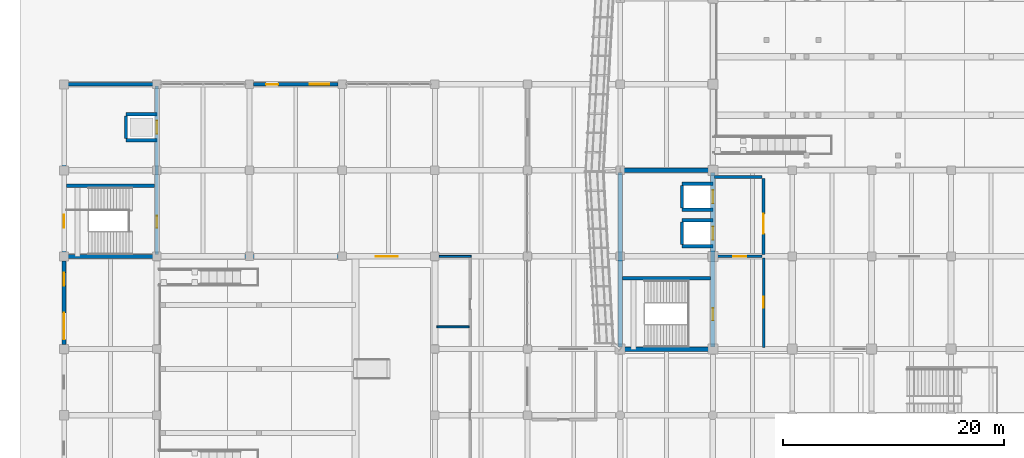
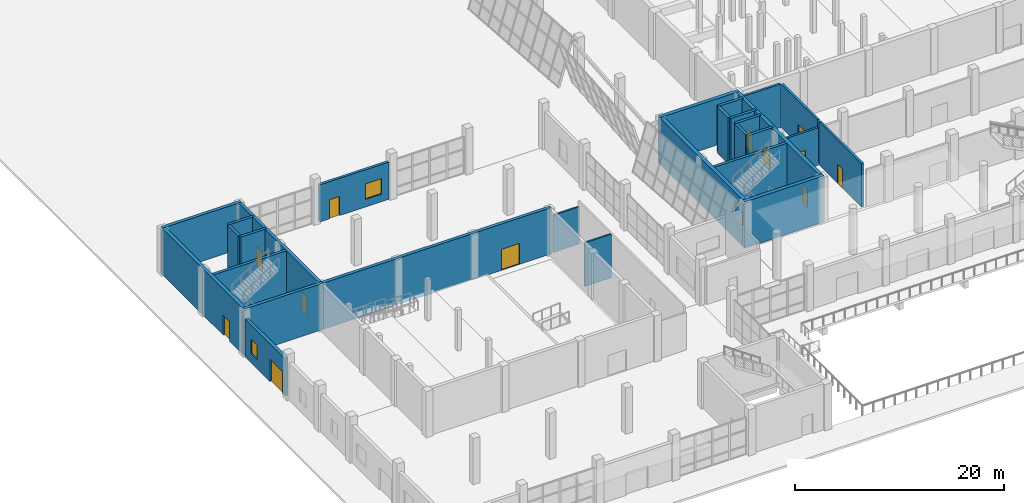
# One storey, part 61 of 78: 28 walls, 12 doors, 2 windows, 14 openings.
"""IFC4 building model written with IfcOpenShell, lengths in metres."""

from ifc_helpers import new_model, si_unit, direction, frame, frame_2d, origin, place, context, subcontext, project, spatial, rectangle, extrude, material, layer, layer_set, type_object, element, fill, save


model = new_model("IFC4")

# Units and contexts
model_context = context("Model", 3, precision=1e-05, world=origin(), true_north=direction((0.0, 1.0)))
body_context = subcontext(model_context, "Body", "Model", "MODEL_VIEW")
ifc_project = project(units=[si_unit("LENGTHUNIT", "METRE"), si_unit("AREAUNIT", "SQUARE_METRE"), si_unit("VOLUMEUNIT", "CUBIC_METRE"), si_unit("PLANEANGLEUNIT", "RADIAN"), si_unit("MASSUNIT", "GRAM", prefix="KILO")], contexts=[model_context])

# Site, building, storey
site_placement = place(None, origin())
site = spatial("IfcSite", under=ifc_project, at=site_placement, CompositionType="ELEMENT")
building_placement = place(site_placement, origin())
building = spatial("IfcBuilding", under=site, at=building_placement, Name="Pellamere Symphony Hall", CompositionType="ELEMENT")
storey_placement = place(building_placement, origin())
storey = spatial("IfcBuildingStorey", under=building, at=storey_placement, Name="L00", CompositionType="ELEMENT", Elevation=0.0)

# Wall, openings, door, window
ifc_material_1 = material(Name="Precast concrete 40 MPa", Category="concrete")
ifc_layer_1 = layer(ifc_material_1, 0.360107421875, Name="Precast concrete 40 MPa")
ifc_layer_set_1 = layer_set([ifc_layer_1], Name="Precast concrete 40 MPa")
wall_type_1 = type_object("IfcWallType", Name="Exterior Wall EW-01 360mm", PredefinedType="SOLIDWALL", material=ifc_layer_set_1)
wall_1_placement = place(storey_placement, frame((0.0, 30.409912109375, 0.0), z_axis=(0.0, 0.0, 1.0), x_axis=(0.0, 1.0, 0.0)))
wall_1 = element("IfcWall", 1, at=wall_1_placement, inside=storey, type_object=wall_type_1, Name="Exterior Wall EW-01-007 (L00)", PredefinedType="SOLIDWALL", context=body_context, shape_type="SweptSolid", body=[
    extrude(rectangle(XDim=7.580078125, YDim=0.360107421875, at=frame_2d((3.7900390625, 0.0))), origin(), (0.0, 0.0, 1.0), 4.39990234375),
])
opening_1_placement = place(wall_1_placement, frame((5.3125, 0.0, 1.050048828125)))
opening_1 = element("IfcOpeningElement", 2, at=opening_1_placement, cuts=wall_1, Name="Opening W005", PredefinedType="OPENING", context=body_context, shape_type="SweptSolid", body=[
    extrude(rectangle(XDim=1.199951171875, YDim=1.64990234375, at=frame_2d((0.60009765625, 0.824951171875))), frame((0.0, 0.18994140625, 0.0), z_axis=(0.0, -1.0, 0.0), x_axis=(1.0, 0.0, 0.0)), (0.0, 0.0, 1.0), 0.380126953125),
])
opening_2_placement = place(wall_1_placement, frame((0.467529296875, 0.0, 0.0)))
opening_2 = element("IfcOpeningElement", 3, at=opening_2_placement, cuts=wall_1, Name="Opening E0730", PredefinedType="OPENING", context=body_context, shape_type="SweptSolid", body=[
    extrude(rectangle(XDim=2.39990234375, YDim=2.60009765625, at=frame_2d((1.199951171875, 1.300048828125))), frame((0.0, 0.18994140625, 0.0), z_axis=(0.0, -1.0, 0.0), x_axis=(1.0, 0.0, 0.0)), (0.0, 0.0, 1.0), 0.380126953125),
])
ifc_material_2 = material(Name="Thermally Broken Bronze-Anodised Aluminium Acoustic Door", Category="aluminium")
door_type_1 = type_object("IfcDoorType", Name="Exterior Door ED-01 2400x2600", OperationType="NOTDEFINED", PredefinedType="DOOR", material=ifc_material_2)
door_1_placement = place(opening_2_placement, origin())
door_1 = element("IfcDoor", 4, at=door_1_placement, inside=storey, type_object=door_type_1, Name="Chamber West Promenade Exit", OperationType="DOUBLE_DOOR_SINGLE_SWING", OverallHeight=2.60009765625, OverallWidth=2.39990234375, PredefinedType="DOOR", context=body_context, shape_type="SweptSolid", body=[
    extrude(rectangle(XDim=2.39990234375, YDim=2.60009765625, at=frame_2d((1.199951171875, 1.300048828125))), frame((0.0, 0.02490234375, 0.0), z_axis=(0.0, -1.0, 0.0), x_axis=(1.0, 0.0, 0.0)), (0.0, 0.0, 1.0), 0.050048828125),
])
fill(opening_2, door_1)
ifc_material_3 = material(Name="Thermally Broken Aluminium Triple-Glazed Acoustic Window", Category="aluminium")
window_type_1 = type_object("IfcWindowType", Name="Window WN-07 1200x1650", PartitioningType="SINGLE_PANEL", PredefinedType="WINDOW", material=ifc_material_3)
window_1_placement = place(opening_1_placement, origin())
window_1 = element("IfcWindow", 5, at=window_1_placement, inside=storey, type_object=window_type_1, Name="Exterior Window W005 (L00)", OverallHeight=1.64990234375, OverallWidth=1.199951171875, PartitioningType="SINGLE_PANEL", PredefinedType="WINDOW", context=body_context, shape_type="SweptSolid", body=[
    extrude(rectangle(XDim=1.199951171875, YDim=1.64990234375, at=frame_2d((0.60009765625, 0.824951171875))), frame((0.0, 0.030029296875, 0.0), z_axis=(0.0, -1.0, 0.0), x_axis=(1.0, 0.0, 0.0)), (0.0, 0.0, 1.0), 0.06005859375),
])
fill(opening_1, window_1)

ifc_material_4 = material(Name="Architectural Limestone-Clad Insulated Backing Assembly", Category="masonry")
ifc_layer_2 = layer(ifc_material_4, 0.280029296875, Name="Architectural Limestone-Clad Insulated Backing Assembly")
ifc_layer_set_2 = layer_set([ifc_layer_2], Name="Architectural Limestone-Clad Insulated Backing Assembly")
wall_type_2 = type_object("IfcWallType", Name="Exterior Wall EW-03 280mm", PredefinedType="SOLIDWALL", material=ifc_layer_set_2)
wall_2_placement = place(storey_placement, frame((17.175048828125, 54.0, 0.0), z_axis=(0.0, 0.0, 1.0), x_axis=(1.0, 0.0, 0.0)))
wall_2 = element("IfcWall", 6, at=wall_2_placement, inside=storey, type_object=wall_type_2, Name="Exterior Wall EW-03-008 (L00)", PredefinedType="SOLIDWALL", context=body_context, shape_type="SweptSolid", body=[
    extrude(rectangle(XDim=7.64990234375, YDim=0.280029296875, at=frame_2d((3.824951171875, 0.0))), origin(), (0.0, 0.0, 1.0), 4.340087890625),
])
opening_3_placement = place(wall_2_placement, frame((5.06689453125, 0.0, 0.89990234375)))
opening_3 = element("IfcOpeningElement", 7, at=opening_3_placement, cuts=wall_2, Name="Opening W006", PredefinedType="OPENING", context=body_context, shape_type="SweptSolid", body=[
    extrude(rectangle(XDim=1.800048828125, YDim=1.800048828125, at=frame_2d((0.89990234375, 0.89990234375))), frame((0.0, 0.14990234375, 0.0), z_axis=(0.0, -1.0, 0.0), x_axis=(1.0, 0.0, 0.0)), (0.0, 0.0, 1.0), 0.300048828125),
])
opening_4_placement = place(wall_2_placement, frame((1.133056640625, 0.0, 0.0)))
opening_4 = element("IfcOpeningElement", 8, at=opening_4_placement, cuts=wall_2, Name="Opening E08", PredefinedType="OPENING", context=body_context, shape_type="SweptSolid", body=[
    extrude(rectangle(XDim=1.10009765625, YDim=2.25, at=frame_2d((0.550048828125, 1.125))), frame((0.0, 0.14990234375, 0.0), z_axis=(0.0, -1.0, 0.0), x_axis=(1.0, 0.0, 0.0)), (0.0, 0.0, 1.0), 0.300048828125),
])
door_type_2 = type_object("IfcDoorType", Name="Exterior Door ED-03 1100x2250", OperationType="NOTDEFINED", PredefinedType="DOOR", material=ifc_material_2)
door_2_placement = place(opening_4_placement, origin())
door_2 = element("IfcDoor", 9, at=door_2_placement, inside=storey, type_object=door_type_2, Name="Chamber North Garden Exit", OperationType="SINGLE_SWING_LEFT", OverallHeight=2.25, OverallWidth=1.10009765625, PredefinedType="DOOR", context=body_context, shape_type="SweptSolid", body=[
    extrude(rectangle(XDim=1.10009765625, YDim=2.25, at=frame_2d((0.550048828125, 1.125))), frame((0.0, 0.02490234375, 0.0), z_axis=(0.0, -1.0, 0.0), x_axis=(1.0, 0.0, 0.0)), (0.0, 0.0, 1.0), 0.050048828125),
])
fill(opening_4, door_2)
window_type_2 = type_object("IfcWindowType", Name="Window WN-03 1800x1800", PartitioningType="DOUBLE_PANEL_VERTICAL", PredefinedType="WINDOW", material=ifc_material_3)
window_2_placement = place(opening_3_placement, origin())
window_2 = element("IfcWindow", 10, at=window_2_placement, inside=storey, type_object=window_type_2, Name="Exterior Window W006 (L00)", OverallHeight=1.800048828125, OverallWidth=1.800048828125, PartitioningType="SINGLE_PANEL", PredefinedType="WINDOW", context=body_context, shape_type="SweptSolid", body=[
    extrude(rectangle(XDim=1.800048828125, YDim=1.800048828125, at=frame_2d((0.89990234375, 0.89990234375))), frame((0.0, 0.030029296875, 0.0), z_axis=(0.0, -1.0, 0.0), x_axis=(1.0, 0.0, 0.0)), (0.0, 0.0, 1.0), 0.06005859375),
])
fill(opening_3, window_2)

# Wall, opening, door
ifc_material_5 = material(Name="Double-Stud STC-65 Acoustic Drywall Partition", Category="gypsum")
ifc_layer_3 = layer(ifc_material_5, 0.239990234375, Name="Double-Stud STC-65 Acoustic Drywall Partition")
ifc_layer_set_3 = layer_set([ifc_layer_3], Name="Double-Stud STC-65 Acoustic Drywall Partition")
wall_type_3 = type_object("IfcWallType", Name="Interior Partition IW-01 240mm", PredefinedType="PARTITIONING", material=ifc_layer_set_3)
wall_3_placement = place(storey_placement, frame((58.9599609375, 38.39990234375, 0.0), z_axis=(0.0, 0.0, 1.0), x_axis=(1.0, 0.0, 0.0)))
wall_3 = element("IfcWall", 11, at=wall_3_placement, inside=storey, type_object=wall_type_3, Name="Interior Partition IW-01-004 (L00)", PredefinedType="PARTITIONING", context=body_context, shape_type="SweptSolid", body=[
    extrude(rectangle(XDim=4.280029296875, YDim=0.239990234375, at=frame_2d((2.14013671875, 0.0))), origin(), (0.0, 0.0, 1.0), 4.340087890625),
])
opening_5_placement = place(wall_3_placement, frame((1.699951171875, 0.0, 0.0)))
opening_5 = element("IfcOpeningElement", 12, at=opening_5_placement, cuts=wall_3, Name="Opening FD-03", PredefinedType="OPENING", context=body_context, shape_type="SweptSolid", body=[
    extrude(rectangle(XDim=1.14990234375, YDim=2.199951171875, at=frame_2d((0.574951171875, 1.10009765625))), frame((0.0, 0.1298828125, 0.0), z_axis=(0.0, -1.0, 0.0), x_axis=(1.0, 0.0, 0.0)), (0.0, 0.0, 1.0), 0.260009765625),
])
ifc_material_6 = material(Name="Fire-Rated Steel Exit Stair Door Wide", Category="steel")
door_type_3 = type_object("IfcDoorType", Name="Interior Door ID-SD2 1150x2200", OperationType="NOTDEFINED", PredefinedType="DOOR", material=ifc_material_6)
door_3_placement = place(opening_5_placement, frame((1.14990234375, 0.0, 0.0), z_axis=(0.0, 0.0, 1.0), x_axis=(-1.0, 0.0, 0.0)))
door_3 = element("IfcDoor", 13, at=door_3_placement, inside=storey, type_object=door_type_3, Name="Protected Exit Passage Door C1 (L00)", OperationType="SINGLE_SWING_LEFT", OverallHeight=2.199951171875, OverallWidth=1.14990234375, PredefinedType="DOOR", context=body_context, shape_type="SweptSolid", body=[
    extrude(rectangle(XDim=1.14990234375, YDim=2.199951171875, at=frame_2d((0.574951171875, 1.10009765625))), frame((0.0, 0.02490234375, 0.0), z_axis=(0.0, -1.0, 0.0), x_axis=(1.0, 0.0, 0.0)), (0.0, 0.0, 1.0), 0.050048828125),
])
fill(opening_5, door_3)

# Wall
wall_4_placement = place(storey_placement, frame((58.9599609375, 45.60009765625, 0.0), z_axis=(0.0, 0.0, 1.0), x_axis=(1.0, 0.0, 0.0)))
element("IfcWall", 14, at=wall_4_placement, inside=storey, type_object=wall_type_3, Name="Interior Partition IW-01-005 (L00)", PredefinedType="PARTITIONING", context=body_context, shape_type="SweptSolid", body=[
    extrude(rectangle(XDim=4.280029296875, YDim=0.239990234375, at=frame_2d((2.14013671875, 0.0))), origin(), (0.0, 0.0, 1.0), 5.090087890625),
])

# Wall, opening, door
wall_5_placement = place(storey_placement, frame((63.39990234375, 38.56005859375, 0.0), z_axis=(0.0, 0.0, 1.0), x_axis=(0.0, 1.0, 0.0)))
wall_5 = element("IfcWall", 15, at=wall_5_placement, inside=storey, type_object=wall_type_3, Name="Interior Partition IW-01-006 (L00)", PredefinedType="PARTITIONING", context=body_context, shape_type="SweptSolid", body=[
    extrude(rectangle(XDim=6.8798828125, YDim=0.239990234375, at=frame_2d((3.43994140625, 0.0))), origin(), (0.0, 0.0, 1.0), 5.090087890625),
])
opening_6_placement = place(wall_5_placement, frame((1.89990234375, 0.0, 0.0)))
opening_6 = element("IfcOpeningElement", 16, at=opening_6_placement, cuts=wall_5, Name="Opening FD-02", PredefinedType="OPENING", context=body_context, shape_type="SweptSolid", body=[
    extrude(rectangle(XDim=1.800048828125, YDim=2.300048828125, at=frame_2d((0.89990234375, 1.14990234375))), frame((0.0, 0.1298828125, 0.0), z_axis=(0.0, -1.0, 0.0), x_axis=(1.0, 0.0, 0.0)), (0.0, 0.0, 1.0), 0.260009765625),
])
ifc_material_7 = material(Name="Fire-Rated Cross-Corridor Double Door", Category="wood")
door_type_4 = type_object("IfcDoorType", Name="Interior Door ID-FD1 1800x2300", OperationType="NOTDEFINED", PredefinedType="DOOR", material=ifc_material_7)
door_4_placement = place(opening_6_placement, frame((1.800048828125, 0.0, 0.0), z_axis=(0.0, 0.0, 1.0), x_axis=(-1.0, 0.0, 0.0)))
door_4 = element("IfcDoor", 17, at=door_4_placement, inside=storey, type_object=door_type_4, Name="Firefighting Lobby C1 Foyer Entry Door (L00)", OperationType="DOUBLE_DOOR_SINGLE_SWING", OverallHeight=2.300048828125, OverallWidth=1.800048828125, PredefinedType="DOOR", context=body_context, shape_type="SweptSolid", body=[
    extrude(rectangle(XDim=1.800048828125, YDim=2.300048828125, at=frame_2d((0.89990234375, 1.14990234375))), frame((0.0, 0.02490234375, 0.0), z_axis=(0.0, -1.0, 0.0), x_axis=(1.0, 0.0, 0.0)), (0.0, 0.0, 1.0), 0.050048828125),
])
fill(opening_6, door_4)

# Walls
ifc_material_8 = material(Name="Moisture-Resistant Ceramic-Tiled Washroom Wall", Category="gypsum")
ifc_layer_4 = layer(ifc_material_8, 0.179931640625, Name="Moisture-Resistant Ceramic-Tiled Washroom Wall")
ifc_layer_set_4 = layer_set([ifc_layer_4], Name="Moisture-Resistant Ceramic-Tiled Washroom Wall")
wall_type_4 = type_object("IfcWallType", Name="Interior Partition IW-06 180mm", PredefinedType="PARTITIONING", material=ifc_layer_set_4)
wall_6_placement = place(storey_placement, frame((33.7900390625, 32.0, 0.0), z_axis=(0.0, 0.0, 1.0), x_axis=(1.0, 0.0, 0.0)))
element("IfcWall", 18, at=wall_6_placement, inside=storey, type_object=wall_type_4, Name="Interior Partition IW-06-060 (L00)", PredefinedType="PARTITIONING", context=body_context, shape_type="SweptSolid", body=[
    extrude(rectangle(XDim=2.909912109375, YDim=0.179931640625, at=frame_2d((1.455078125, 0.0))), origin(), (0.0, 0.0, 1.0), 5.090087890625),
])
wall_7_placement = place(storey_placement, frame((33.989990234375, 38.39990234375, 0.0), z_axis=(0.0, 0.0, 1.0), x_axis=(1.0, 0.0, 0.0)))
element("IfcWall", 19, at=wall_7_placement, inside=storey, type_object=wall_type_4, Name="Interior Partition IW-06-061 (L00)", PredefinedType="PARTITIONING", context=body_context, shape_type="SweptSolid", body=[
    extrude(rectangle(XDim=2.89990234375, YDim=0.179931640625, at=frame_2d((1.449951171875, 0.0))), origin(), (0.0, 0.0, 1.0), 4.340087890625),
])

# Wall, opening, door
ifc_material_9 = material(Name="Protected Exit Passageway Shaftwall Partition", Category="gypsum")
ifc_layer_5 = layer(ifc_material_9, 0.219970703125, Name="Protected Exit Passageway Shaftwall Partition")
ifc_layer_set_5 = layer_set([ifc_layer_5], Name="Protected Exit Passageway Shaftwall Partition")
wall_type_5 = type_object("IfcWallType", Name="Interior Partition IW-07 220mm", PredefinedType="PARTITIONING", material=ifc_layer_set_5)
wall_8_placement = place(storey_placement, frame((63.39990234375, 30.159912109375, 0.0), z_axis=(0.0, 0.0, 1.0), x_axis=(0.0, 1.0, 0.0)))
wall_8 = element("IfcWall", 20, at=wall_8_placement, inside=storey, type_object=wall_type_5, Name="Interior Partition IW-07-007 (L00)", PredefinedType="PARTITIONING", context=body_context, shape_type="SweptSolid", body=[
    extrude(rectangle(XDim=8.080078125, YDim=0.219970703125, at=frame_2d((4.0400390625, 0.0))), origin(), (0.0, 0.0, 1.0), 5.090087890625),
])
opening_7_placement = place(wall_8_placement, frame((3.60009765625, 0.0, 0.0)))
opening_7 = element("IfcOpeningElement", 21, at=opening_7_placement, cuts=wall_8, Name="Opening FD-04", PredefinedType="OPENING", context=body_context, shape_type="SweptSolid", body=[
    extrude(rectangle(XDim=1.0, YDim=2.199951171875, at=frame_2d((0.5, 1.10009765625))), frame((0.0, 0.119873046875, 0.0), z_axis=(0.0, -1.0, 0.0), x_axis=(1.0, 0.0, 0.0)), (0.0, 0.0, 1.0), 0.239990234375),
])
ifc_material_10 = material(Name="Fire-Rated Plant and Riser Door", Category="steel")
door_type_5 = type_object("IfcDoorType", Name="Interior Door ID-FD2 1000x2200", OperationType="NOTDEFINED", PredefinedType="DOOR", material=ifc_material_10)
door_5_placement = place(opening_7_placement, origin())
door_5 = element("IfcDoor", 22, at=door_5_placement, inside=storey, type_object=door_type_5, Name="Exit Passage C1 Cross-Foyer Door", OperationType="SINGLE_SWING_RIGHT", OverallHeight=2.199951171875, OverallWidth=1.0, PredefinedType="DOOR", context=body_context, shape_type="SweptSolid", body=[
    extrude(rectangle(XDim=1.0, YDim=2.199951171875, at=frame_2d((0.5, 1.10009765625))), frame((0.0, 0.02490234375, 0.0), z_axis=(0.0, -1.0, 0.0), x_axis=(1.0, 0.0, 0.0)), (0.0, 0.0, 1.0), 0.050048828125),
])
fill(opening_7, door_5)

# Walls
ifc_material_11 = material(Name="Concrete 50 MPa", Category="concrete")
ifc_layer_6 = layer(ifc_material_11, 0.39990234375, Name="Concrete 50 MPa")
ifc_layer_set_6 = layer_set([ifc_layer_6], Name="Concrete 50 MPa")
wall_type_6 = type_object("IfcWallType", Name="Structural Wall SW-02 400mm", PredefinedType="SHEAR", material=ifc_layer_set_6)
for number, where, z_axis, x_axis, name in (
    (23, (50.199951171875, 30.0, 0.0), (0.0, 0.0, 1.0), (1.0, 0.0, 0.0), "Core Shear Wall C1 S (L00)"),
    (24, (50.199951171875, 46.199951171875, 0.0), (0.0, 0.0, 1.0), (1.0, 0.0, 0.0), "Core Shear Wall C1 N (L00)"),
):
    element("IfcWall", number, at=place(storey_placement, frame(where, z_axis=z_axis, x_axis=x_axis)), inside=storey, type_object=wall_type_6, Name=name, PredefinedType="SHEAR", context=body_context, shape_type="SweptSolid", body=[
        extrude(rectangle(XDim=8.800048828125, YDim=0.39990234375, at=frame_2d((4.39990234375, 0.0))), origin(), (0.0, 0.0, 1.0), 5.39990234375),
    ])
wall_9_placement = place(storey_placement, frame((50.39990234375, 30.199951171875, 0.0), z_axis=(0.0, 0.0, 1.0), x_axis=(0.0, 1.0, 0.0)))
element("IfcWall", 25, at=wall_9_placement, inside=storey, type_object=wall_type_6, Name="Core Shear Wall C1 W (L00)", PredefinedType="SHEAR", context=body_context, shape_type="SweptSolid", body=[
    extrude(rectangle(XDim=15.800048828125, YDim=0.39990234375, at=frame_2d((7.89990234375, 0.0))), origin(), (0.0, 0.0, 1.0), 5.39990234375),
])

# Wall, openings, doors
wall_10_placement = place(storey_placement, frame((58.800048828125, 30.199951171875, 0.0), z_axis=(0.0, 0.0, 1.0), x_axis=(0.0, 1.0, 0.0)))
wall_10 = element("IfcWall", 26, at=wall_10_placement, inside=storey, type_object=wall_type_6, Name="Core Shear Wall C1 E (L00)", PredefinedType="SHEAR", context=body_context, shape_type="SweptSolid", body=[
    extrude(rectangle(XDim=15.800048828125, YDim=0.39990234375, at=frame_2d((7.89990234375, 0.0))), origin(), (0.0, 0.0, 1.0), 5.39990234375),
])
opening_8_placement = place(wall_10_placement, frame((9.699951171875, 0.0, 0.0)))
opening_8 = element("IfcOpeningElement", 27, at=opening_8_placement, cuts=wall_10, Name="Opening LD-02", PredefinedType="OPENING", context=body_context, shape_type="SweptSolid", body=[
    extrude(rectangle(XDim=1.199951171875, YDim=2.199951171875, at=frame_2d((0.60009765625, 1.10009765625))), frame((0.0, 0.2099609375, 0.0), z_axis=(0.0, -1.0, 0.0), x_axis=(1.0, 0.0, 0.0)), (0.0, 0.0, 1.0), 0.419921875),
])
opening_9_placement = place(wall_10_placement, frame((13.0, 0.0, 0.0)))
opening_9 = element("IfcOpeningElement", 28, at=opening_9_placement, cuts=wall_10, Name="Opening LD-08", PredefinedType="OPENING", context=body_context, shape_type="SweptSolid", body=[
    extrude(rectangle(XDim=1.199951171875, YDim=2.199951171875, at=frame_2d((0.60009765625, 1.10009765625))), frame((0.0, 0.2099609375, 0.0), z_axis=(0.0, -1.0, 0.0), x_axis=(1.0, 0.0, 0.0)), (0.0, 0.0, 1.0), 0.419921875),
])
opening_10_placement = place(wall_10_placement, frame((2.39990234375, 0.0, 0.0)))
opening_10 = element("IfcOpeningElement", 29, at=opening_10_placement, cuts=wall_10, Name="Opening SD-02", PredefinedType="OPENING", context=body_context, shape_type="SweptSolid", body=[
    extrude(rectangle(XDim=1.10009765625, YDim=2.199951171875, at=frame_2d((0.550048828125, 1.10009765625))), frame((0.0, 0.2099609375, 0.0), z_axis=(0.0, -1.0, 0.0), x_axis=(1.0, 0.0, 0.0)), (0.0, 0.0, 1.0), 0.419921875),
])
ifc_material_12 = material(Name="Stainless Steel AISI 316 Elevator Landing Door", Category="steel")
door_type_6 = type_object("IfcDoorType", Name="Interior Door ID-LD1 1200x2200", OperationType="NOTDEFINED", PredefinedType="DOOR", material=ifc_material_12)
door_6_placement = place(opening_8_placement, origin())
door_6 = element("IfcDoor", 30, at=door_6_placement, inside=storey, type_object=door_type_6, Name="Elevator PL1 Sliding Landing Door (L00)", OperationType="SLIDING_TO_RIGHT", OverallHeight=2.199951171875, OverallWidth=1.199951171875, PredefinedType="DOOR", context=body_context, shape_type="SweptSolid", body=[
    extrude(rectangle(XDim=1.199951171875, YDim=2.199951171875, at=frame_2d((0.60009765625, 1.10009765625))), frame((0.0, 0.02490234375, 0.0), z_axis=(0.0, -1.0, 0.0), x_axis=(1.0, 0.0, 0.0)), (0.0, 0.0, 1.0), 0.050048828125),
])
fill(opening_8, door_6)
door_7_placement = place(opening_9_placement, origin())
door_7 = element("IfcDoor", 31, at=door_7_placement, inside=storey, type_object=door_type_6, Name="Elevator PL2 Sliding Landing Door (L00)", OperationType="SLIDING_TO_RIGHT", OverallHeight=2.199951171875, OverallWidth=1.199951171875, PredefinedType="DOOR", context=body_context, shape_type="SweptSolid", body=[
    extrude(rectangle(XDim=1.199951171875, YDim=2.199951171875, at=frame_2d((0.60009765625, 1.10009765625))), frame((0.0, 0.02490234375, 0.0), z_axis=(0.0, -1.0, 0.0), x_axis=(1.0, 0.0, 0.0)), (0.0, 0.0, 1.0), 0.050048828125),
])
fill(opening_9, door_7)
ifc_material_13 = material(Name="Fire-Rated Steel Exit Stair Door", Category="steel")
door_type_7 = type_object("IfcDoorType", Name="Interior Door ID-SD1 1100x2200", OperationType="NOTDEFINED", PredefinedType="DOOR", material=ifc_material_13)
door_8_placement = place(opening_10_placement, frame((1.10009765625, 0.0, 0.0), z_axis=(0.0, 0.0, 1.0), x_axis=(-1.0, 0.0, 0.0)))
door_8 = element("IfcDoor", 32, at=door_8_placement, inside=storey, type_object=door_type_7, Name="Core C1 Exit Stair Door (L00)", OperationType="SINGLE_SWING_RIGHT", OverallHeight=2.199951171875, OverallWidth=1.10009765625, PredefinedType="DOOR", context=body_context, shape_type="SweptSolid", body=[
    extrude(rectangle(XDim=1.10009765625, YDim=2.199951171875, at=frame_2d((0.550048828125, 1.10009765625))), frame((0.0, 0.02490234375, 0.0), z_axis=(0.0, -1.0, 0.0), x_axis=(1.0, 0.0, 0.0)), (0.0, 0.0, 1.0), 0.050048828125),
])
fill(opening_10, door_8)

# Wall, opening, door
ifc_material_14 = material(Name="Concrete 40 MPa", Category="concrete")
ifc_layer_7 = layer(ifc_material_14, 0.35009765625, Name="Concrete 40 MPa")
ifc_layer_set_7 = layer_set([ifc_layer_7], Name="Concrete 40 MPa")
wall_type_7 = type_object("IfcWallType", Name="Structural Wall SW-03 350mm", PredefinedType="SHEAR", material=ifc_layer_set_7)
wall_11_placement = place(storey_placement, frame((8.22509765625, 38.39990234375, 0.0), z_axis=(0.0, 0.0, 1.0), x_axis=(1.0, 0.0, 0.0)))
wall_11 = element("IfcWall", 33, at=wall_11_placement, inside=storey, type_object=wall_type_7, Name="Chamber Hall Acoustic Wall AW2-N (L00)", PredefinedType="SHEAR", context=body_context, shape_type="SweptSolid", body=[
    extrude(rectangle(XDim=25.5498046875, YDim=0.35009765625, at=frame_2d((12.77490234375, 0.0))), origin(), (0.0, 0.0, 1.0), 5.39990234375),
])
opening_11_placement = place(wall_11_placement, frame((20.0, 0.0, 0.0)))
opening_11 = element("IfcOpeningElement", 34, at=opening_11_placement, cuts=wall_11, Name="Opening AD-13", PredefinedType="OPENING", context=body_context, shape_type="SweptSolid", body=[
    extrude(rectangle(XDim=2.0, YDim=2.449951171875, at=frame_2d((1.0, 1.22509765625))), frame((0.0, 0.18505859375, 0.0), z_axis=(0.0, -1.0, 0.0), x_axis=(1.0, 0.0, 0.0)), (0.0, 0.0, 1.0), 0.3701171875),
])
ifc_material_15 = material(Name="STC-55 Solid White Oak Acoustic Hall Entry Door", Category="wood")
door_type_8 = type_object("IfcDoorType", Name="Interior Door ID-AD1 2000x2450", OperationType="NOTDEFINED", PredefinedType="DOOR", material=ifc_material_15)
door_9_placement = place(opening_11_placement, origin())
door_9 = element("IfcDoor", 35, at=door_9_placement, inside=storey, type_object=door_type_8, Name="Chamber Hall Stalls Entry Door N", OperationType="DOUBLE_DOOR_SINGLE_SWING", OverallHeight=2.449951171875, OverallWidth=2.0, PredefinedType="DOOR", context=body_context, shape_type="SweptSolid", body=[
    extrude(rectangle(XDim=2.0, YDim=2.449951171875, at=frame_2d((1.0, 1.22509765625))), frame((0.0, 0.02490234375, 0.0), z_axis=(0.0, -1.0, 0.0), x_axis=(1.0, 0.0, 0.0)), (0.0, 0.0, 1.0), 0.050048828125),
])
fill(opening_11, door_9)

# Walls
for number, where, z_axis, x_axis, name in (
    (36, (-0.175048828125, 38.39990234375, 0.0), (0.0, 0.0, 1.0), (1.0, 0.0, 0.0), "Core Shear Wall C3 S (L00)"),
    (37, (-0.175048828125, 54.0, 0.0), (0.0, 0.0, 1.0), (1.0, 0.0, 0.0), "Core Shear Wall C3 N (L00)"),
):
    element("IfcWall", number, at=place(storey_placement, frame(where, z_axis=z_axis, x_axis=x_axis)), inside=storey, type_object=wall_type_7, Name=name, PredefinedType="SHEAR", context=body_context, shape_type="SweptSolid", body=[
        extrude(rectangle(XDim=8.75, YDim=0.35009765625, at=frame_2d((4.375, 0.0))), origin(), (0.0, 0.0, 1.0), 5.39990234375),
    ])

# Wall, openings, doors
wall_12_placement = place(storey_placement, frame((8.39990234375, 38.574951171875, 0.0), z_axis=(0.0, 0.0, 1.0), x_axis=(0.0, 1.0, 0.0)))
wall_12 = element("IfcWall", 38, at=wall_12_placement, inside=storey, type_object=wall_type_7, Name="Core Shear Wall C3 E (L00)", PredefinedType="SHEAR", context=body_context, shape_type="SweptSolid", body=[
    extrude(rectangle(XDim=15.25, YDim=0.35009765625, at=frame_2d((7.625, 0.0))), origin(), (0.0, 0.0, 1.0), 5.39990234375),
])
opening_12_placement = place(wall_12_placement, frame((10.925048828125, 0.0, 0.0)))
opening_12 = element("IfcOpeningElement", 39, at=opening_12_placement, cuts=wall_12, Name="Opening LD-43", PredefinedType="OPENING", context=body_context, shape_type="SweptSolid", body=[
    extrude(rectangle(XDim=1.199951171875, YDim=2.199951171875, at=frame_2d((0.60009765625, 1.10009765625))), frame((0.0, 0.18505859375, 0.0), z_axis=(0.0, -1.0, 0.0), x_axis=(1.0, 0.0, 0.0)), (0.0, 0.0, 1.0), 0.3701171875),
])
opening_13_placement = place(wall_12_placement, frame((2.39990234375, 0.0, 0.0)))
opening_13 = element("IfcOpeningElement", 40, at=opening_13_placement, cuts=wall_12, Name="Opening SD-15", PredefinedType="OPENING", context=body_context, shape_type="SweptSolid", body=[
    extrude(rectangle(XDim=1.10009765625, YDim=2.199951171875, at=frame_2d((0.550048828125, 1.10009765625))), frame((0.0, 0.18505859375, 0.0), z_axis=(0.0, -1.0, 0.0), x_axis=(1.0, 0.0, 0.0)), (0.0, 0.0, 1.0), 0.3701171875),
])
door_10_placement = place(opening_12_placement, origin())
door_10 = element("IfcDoor", 41, at=door_10_placement, inside=storey, type_object=door_type_6, Name="Elevator PL5 Sliding Landing Door (L00)", OperationType="SLIDING_TO_LEFT", OverallHeight=2.199951171875, OverallWidth=1.199951171875, PredefinedType="DOOR", context=body_context, shape_type="SweptSolid", body=[
    extrude(rectangle(XDim=1.199951171875, YDim=2.199951171875, at=frame_2d((0.60009765625, 1.10009765625))), frame((0.0, 0.02490234375, 0.0), z_axis=(0.0, -1.0, 0.0), x_axis=(1.0, 0.0, 0.0)), (0.0, 0.0, 1.0), 0.050048828125),
])
fill(opening_12, door_10)
door_11_placement = place(opening_13_placement, frame((1.10009765625, 0.0, 0.0), z_axis=(0.0, 0.0, 1.0), x_axis=(-1.0, 0.0, 0.0)))
door_11 = element("IfcDoor", 42, at=door_11_placement, inside=storey, type_object=door_type_7, Name="Core C3 Exit Stair Door (L00)", OperationType="SINGLE_SWING_LEFT", OverallHeight=2.199951171875, OverallWidth=1.10009765625, PredefinedType="DOOR", context=body_context, shape_type="SweptSolid", body=[
    extrude(rectangle(XDim=1.10009765625, YDim=2.199951171875, at=frame_2d((0.550048828125, 1.10009765625))), frame((0.0, 0.02490234375, 0.0), z_axis=(0.0, -1.0, 0.0), x_axis=(1.0, 0.0, 0.0)), (0.0, 0.0, 1.0), 0.050048828125),
])
fill(opening_13, door_11)

# Walls
ifc_layer_8 = layer(ifc_material_14, 0.300048828125, Name="Concrete 40 MPa")
ifc_layer_set_8 = layer_set([ifc_layer_8], Name="Concrete 40 MPa")
wall_type_8 = type_object("IfcWallType", Name="Structural Wall SW-04 300mm", PredefinedType="SHEAR", material=ifc_layer_set_8)
for number, where, z_axis, x_axis, name in (
    (43, (56.0, 39.324951171875, 0.0), (0.0, 0.0, 1.0), (1.0, 0.0, 0.0), "Elevator PL1 Hoistway Wall S (L00)"),
    (44, (56.0, 41.675048828125, 0.0), (0.0, 0.0, 1.0), (1.0, 0.0, 0.0), "Elevator PL1 Hoistway Wall N (L00)"),
):
    element("IfcWall", number, at=place(storey_placement, frame(where, z_axis=z_axis, x_axis=x_axis)), inside=storey, type_object=wall_type_8, Name=name, PredefinedType="SHEAR", context=body_context, shape_type="SweptSolid", body=[
        extrude(rectangle(XDim=2.800048828125, YDim=0.300048828125, at=frame_2d((1.39990234375, 0.0))), origin(), (0.0, 0.0, 1.0), 5.39990234375),
    ])
wall_13_placement = place(storey_placement, frame((56.0, 39.47509765625, 0.0), z_axis=(0.0, 0.0, 1.0), x_axis=(0.0, 1.0, 0.0)))
element("IfcWall", 45, at=wall_13_placement, inside=storey, type_object=wall_type_8, Name="Elevator PL1 Hoistway Wall W (L00)", PredefinedType="SHEAR", context=body_context, shape_type="SweptSolid", body=[
    extrude(rectangle(XDim=2.0498046875, YDim=0.300048828125, at=frame_2d((1.02490234375, 0.0))), origin(), (0.0, 0.0, 1.0), 5.39990234375),
])
for number, where, z_axis, x_axis, name in (
    (46, (56.0, 42.625, 0.0), (0.0, 0.0, 1.0), (1.0, 0.0, 0.0), "Elevator PL2 Hoistway Wall S (L00)"),
    (47, (56.0, 44.97509765625, 0.0), (0.0, 0.0, 1.0), (1.0, 0.0, 0.0), "Elevator PL2 Hoistway Wall N (L00)"),
):
    element("IfcWall", number, at=place(storey_placement, frame(where, z_axis=z_axis, x_axis=x_axis)), inside=storey, type_object=wall_type_8, Name=name, PredefinedType="SHEAR", context=body_context, shape_type="SweptSolid", body=[
        extrude(rectangle(XDim=2.800048828125, YDim=0.300048828125, at=frame_2d((1.39990234375, 0.0))), origin(), (0.0, 0.0, 1.0), 5.39990234375),
    ])
wall_14_placement = place(storey_placement, frame((56.0, 42.77490234375, 0.0), z_axis=(0.0, 0.0, 1.0), x_axis=(0.0, 1.0, 0.0)))
element("IfcWall", 48, at=wall_14_placement, inside=storey, type_object=wall_type_8, Name="Elevator PL2 Hoistway Wall W (L00)", PredefinedType="SHEAR", context=body_context, shape_type="SweptSolid", body=[
    extrude(rectangle(XDim=2.050048828125, YDim=0.300048828125, at=frame_2d((1.02490234375, 0.0))), origin(), (0.0, 0.0, 1.0), 5.39990234375),
])
for number, where, z_axis, x_axis, name in (
    (49, (5.60009765625, 48.925048828125, 0.0), (0.0, 0.0, 1.0), (1.0, 0.0, 0.0), "Elevator PL5 Hoistway Wall S (L00)"),
    (50, (5.60009765625, 51.27490234375, 0.0), (0.0, 0.0, 1.0), (1.0, 0.0, 0.0), "Elevator PL5 Hoistway Wall N (L00)"),
):
    element("IfcWall", number, at=place(storey_placement, frame(where, z_axis=z_axis, x_axis=x_axis)), inside=storey, type_object=wall_type_8, Name=name, PredefinedType="SHEAR", context=body_context, shape_type="SweptSolid", body=[
        extrude(rectangle(XDim=2.7998046875, YDim=0.300048828125, at=frame_2d((1.39990234375, 0.0))), origin(), (0.0, 0.0, 1.0), 5.39990234375),
    ])
wall_15_placement = place(storey_placement, frame((5.60009765625, 49.074951171875, 0.0), z_axis=(0.0, 0.0, 1.0), x_axis=(0.0, 1.0, 0.0)))
element("IfcWall", 51, at=wall_15_placement, inside=storey, type_object=wall_type_8, Name="Elevator PL5 Hoistway Wall W (L00)", PredefinedType="SHEAR", context=body_context, shape_type="SweptSolid", body=[
    extrude(rectangle(XDim=2.050048828125, YDim=0.300048828125, at=frame_2d((1.02490234375, 0.0))), origin(), (0.0, 0.0, 1.0), 5.39990234375),
])

# Wall, opening, door
ifc_layer_9 = layer(ifc_material_14, 0.3798828125, Name="Concrete 40 MPa")
ifc_layer_set_9 = layer_set([ifc_layer_9], Name="Concrete 40 MPa")
wall_type_9 = type_object("IfcWallType", Name="Structural Wall SW-07 380mm", PredefinedType="SHEAR", material=ifc_layer_set_9)
wall_16_placement = place(storey_placement, frame((0.0, 38.574951171875, 0.0), z_axis=(0.0, 0.0, 1.0), x_axis=(0.0, 1.0, 0.0)))
wall_16 = element("IfcWall", 52, at=wall_16_placement, inside=storey, type_object=wall_type_9, Name="Core Shear Wall C3 W (L00)", PredefinedType="SHEAR", context=body_context, shape_type="SweptSolid", body=[
    extrude(rectangle(XDim=15.25, YDim=0.3798828125, at=frame_2d((7.625, 0.0))), origin(), (0.0, 0.0, 1.0), 5.39990234375),
])
opening_14_placement = place(wall_16_placement, frame((2.39990234375, 0.0, 0.0)))
opening_14 = element("IfcOpeningElement", 53, at=opening_14_placement, cuts=wall_16, Name="Opening E29", PredefinedType="OPENING", context=body_context, shape_type="SweptSolid", body=[
    extrude(rectangle(XDim=1.199951171875, YDim=2.300048828125, at=frame_2d((0.60009765625, 1.14990234375))), frame((0.0, 0.199951171875, 0.0), z_axis=(0.0, -1.0, 0.0), x_axis=(1.0, 0.0, 0.0)), (0.0, 0.0, 1.0), 0.39990234375),
])
door_type_9 = type_object("IfcDoorType", Name="Exterior Door ED-04 1200x2300", OperationType="NOTDEFINED", PredefinedType="DOOR", material=ifc_material_2)
door_12_placement = place(opening_14_placement, origin())
door_12 = element("IfcDoor", 54, at=door_12_placement, inside=storey, type_object=door_type_9, Name="Core C3 Stair Direct West Street Exit", OperationType="SINGLE_SWING_LEFT", OverallHeight=2.300048828125, OverallWidth=1.199951171875, PredefinedType="DOOR", context=body_context, shape_type="SweptSolid", body=[
    extrude(rectangle(XDim=1.199951171875, YDim=2.300048828125, at=frame_2d((0.60009765625, 1.14990234375))), frame((0.0, 0.02490234375, 0.0), z_axis=(0.0, -1.0, 0.0), x_axis=(1.0, 0.0, 0.0)), (0.0, 0.0, 1.0), 0.050048828125),
])
fill(opening_14, door_12)

# Walls
ifc_layer_10 = layer(ifc_material_14, 0.31005859375, Name="Concrete 40 MPa")
ifc_layer_set_10 = layer_set([ifc_layer_10], Name="Concrete 40 MPa")
wall_type_10 = type_object("IfcWallType", Name="Structural Wall SW-08 310mm", PredefinedType="SHEAR", material=ifc_layer_set_10)
wall_17_placement = place(storey_placement, frame((50.6201171875, 36.39990234375, 0.0), z_axis=(0.0, 0.0, 1.0), x_axis=(1.0, 0.0, 0.0)))
element("IfcWall", 55, at=wall_17_placement, inside=storey, type_object=wall_type_10, Name="Core Stair Divider Wall C1 (L00)", PredefinedType="SHEAR", context=body_context, shape_type="SweptSolid", body=[
    extrude(rectangle(XDim=7.9599609375, YDim=0.31005859375, at=frame_2d((3.97998046875, 0.0))), origin(), (0.0, 0.0, 1.0), 5.39990234375),
])
wall_18_placement = place(storey_placement, frame((0.195068359375, 44.800048828125, 0.0), z_axis=(0.0, 0.0, 1.0), x_axis=(1.0, 0.0, 0.0)))
element("IfcWall", 56, at=wall_18_placement, inside=storey, type_object=wall_type_10, Name="Core Stair Divider Wall C3 (L00)", PredefinedType="SHEAR", context=body_context, shape_type="SweptSolid", body=[
    extrude(rectangle(XDim=8.010009765625, YDim=0.31005859375, at=frame_2d((4.0048828125, 0.0))), origin(), (0.0, 0.0, 1.0), 5.39990234375),
])

save(model, "model.ifc")
